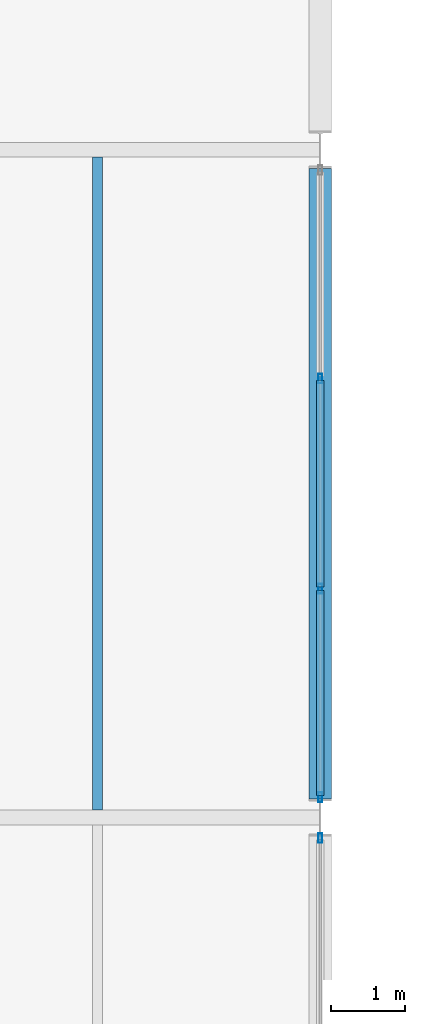
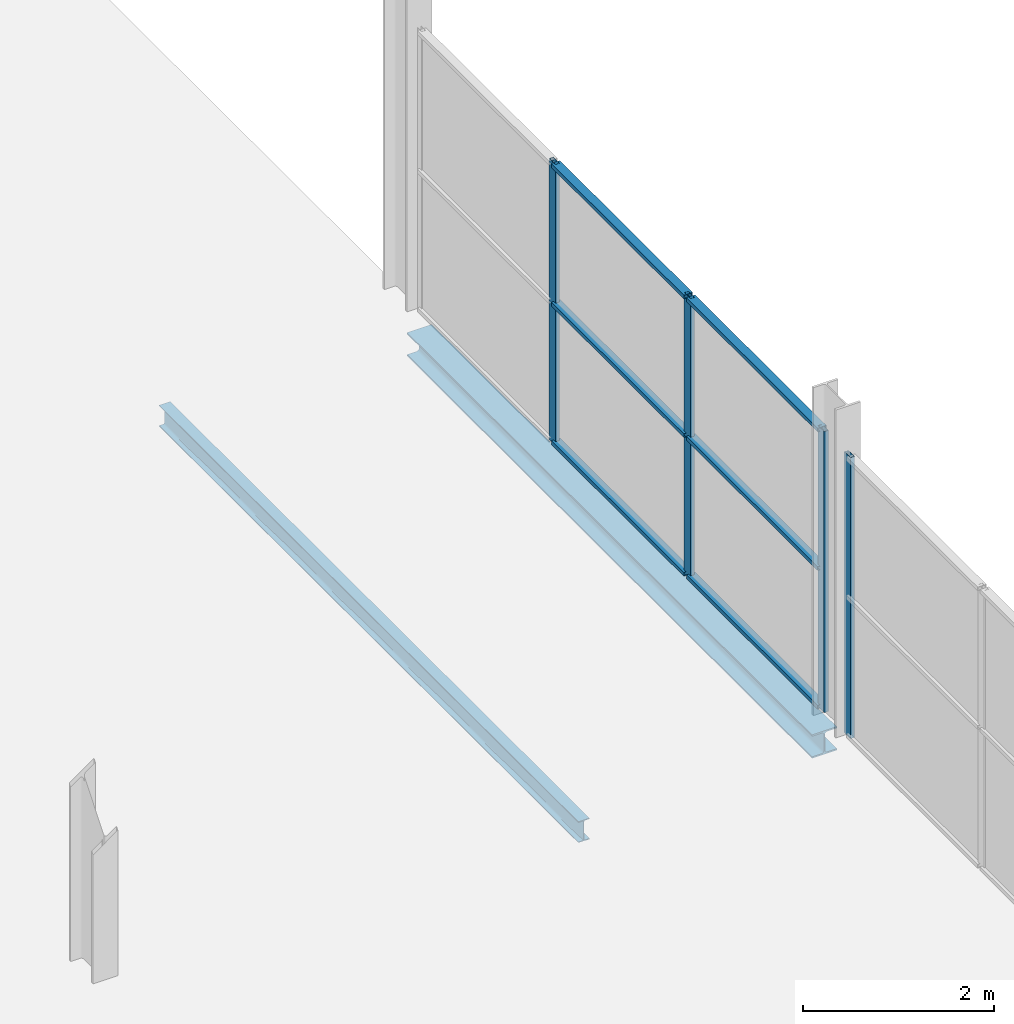
# One storey, part 38 of 103: 10 members, 2 beams, 2 elements without a shape of their own.
"""IFC4 building model written with IfcOpenShell, lengths in metres."""

from ifc_helpers import new_model, si_unit, direction, frame, origin, origin_2d, place, context, subcontext, project, spatial, hollow_rectangle, i_section, extrude, material, layer, layer_set, material_profile, profile_set, type_object, element, aggregate, save


model = new_model("IFC4")

# Units and contexts
model_context = context("Model", 3, precision=1e-05, world=origin(), true_north=direction((0.0, 1.0)))
body_context = subcontext(model_context, "Body", "Model", "MODEL_VIEW")
ifc_project = project(units=[si_unit("LENGTHUNIT", "METRE"), si_unit("AREAUNIT", "SQUARE_METRE"), si_unit("VOLUMEUNIT", "CUBIC_METRE"), si_unit("PLANEANGLEUNIT", "RADIAN"), si_unit("MASSUNIT", "GRAM", prefix="KILO")], contexts=[model_context])

# Site, building, storey
site_placement = place(None, origin())
site = spatial("IfcSite", under=ifc_project, at=site_placement, CompositionType="ELEMENT")
building_placement = place(site_placement, origin())
building = spatial("IfcBuilding", under=site, at=building_placement, Name="Deido Ridge Mobility Hub", CompositionType="ELEMENT")
storey_placement = place(building_placement, frame((0.0, 0.0, 12.60009765625)))
storey = spatial("IfcBuildingStorey", under=building, at=storey_placement, Name="L03", CompositionType="ELEMENT", Elevation=12.60009765625)

# Beam
ifc_material_1 = material(Name="Steel S355J2 EN 10025-2", Category="steel")
ifc_material_profile_1 = material_profile(ifc_material_1, i_section(OverallWidth=0.135009765625, OverallDepth=0.27001953125, WebThickness=0.006591796875, FlangeThickness=0.01025390625, FilletRadius=0.014892578125, at=origin_2d()), Name="IPE 270")
ifc_profile_set_1 = profile_set([ifc_material_profile_1], Name="Steel S355J2 EN 10025-2")
beam_type_1 = type_object("IfcBeamType", Name="JST-IPE270", PredefinedType="JOIST", material=ifc_profile_set_1)
beam_1_placement = place(storey_placement, frame((105.0, 63.10009765625, -0.400146484375), z_axis=(0.0, 1.0, 0.0), x_axis=(-1.0, 0.0, 0.0)))
element("IfcBeam", 1, at=beam_1_placement, inside=storey, type_object=beam_type_1, Name="Composite joist J4", PredefinedType="JOIST", context=body_context, shape_type="SweptSolid", body=[
    extrude(i_section(OverallWidth=0.135009765625, OverallDepth=0.27001953125, WebThickness=0.006591796875, FlangeThickness=0.01025390625, FilletRadius=0.014892578125, at=origin_2d()), origin(), (0.0, 0.0, 1.0), 8.7998046875),
])

# Curtain wall, member
ifc_material_2 = material(Name="Anodised aluminium EN AW-6063 T6", Category="aluminium")
ifc_layer = layer(ifc_material_2, 0.2548828125, Name="Anodised aluminium EN AW-6063 T6")
ifc_layer_set = layer_set([ifc_layer], Name="Anodised aluminium EN AW-6063 T6")
curtain_wall_type = type_object("IfcCurtainWallType", Name="CW-UF-7", PredefinedType="USERDEFINED", material=ifc_layer_set)
curtain_wall_1_placement = place(storey_placement, origin())
curtain_wall_1 = element("IfcCurtainWall", 2, at=curtain_wall_1_placement, inside=storey, type_object=curtain_wall_type, Name="Unitised curtain wall CW7", ObjectType="UNITISED FACADE", PredefinedType="USERDEFINED")
ifc_material_profile_2 = material_profile(ifc_material_2, hollow_rectangle(XDim=0.050048828125, YDim=0.1298828125, WallThickness=0.00390625, at=origin_2d()), Name="RHS 50x130x4")
ifc_profile_set_2 = profile_set([ifc_material_profile_2], Name="Anodised aluminium EN AW-6063 T6")
member_type_1 = type_object("IfcMemberType", Name="MEM-MUL-50X130", PredefinedType="MULLION", material=ifc_profile_set_2)
member_1_placement = place(storey_placement, frame((108.0, 62.72509765625, 0.0), z_axis=(0.0, 0.0, 1.0), x_axis=(-1.0, 0.0, 0.0)))
member_1 = element("IfcMember", 3, at=member_1_placement, type_object=member_type_1, Name="CW7 mullion 4", PredefinedType="MULLION", context=body_context, shape_type="SweptSolid", body=[
    extrude(hollow_rectangle(XDim=0.050048828125, YDim=0.1298828125, WallThickness=0.00390625, at=origin_2d()), origin(), (0.0, 0.0, 1.0), 3.599853515625),
])
aggregate(curtain_wall_1, [member_1])

# Curtain wall, members
curtain_wall_2_placement = place(storey_placement, origin())
curtain_wall_2 = element("IfcCurtainWall", 4, at=curtain_wall_2_placement, inside=storey, type_object=curtain_wall_type, Name="Unitised curtain wall CW7", ObjectType="UNITISED FACADE", PredefinedType="USERDEFINED")
member_2_placement = place(storey_placement, frame((108.0, 63.27490234375, 0.0), z_axis=(0.0, 0.0, 1.0), x_axis=(-1.0, 0.0, 0.0)))
member_2 = element("IfcMember", 5, at=member_2_placement, type_object=member_type_1, Name="CW7 mullion 1", PredefinedType="MULLION", context=body_context, shape_type="SweptSolid", body=[
    extrude(hollow_rectangle(XDim=0.050048828125, YDim=0.1298828125, WallThickness=0.00390625, at=origin_2d()), origin(), (0.0, 0.0, 1.0), 3.599853515625),
])
member_3_placement = place(storey_placement, frame((108.0, 66.083251953125, 0.0), z_axis=(0.0, 0.0, 1.0), x_axis=(-1.0, 0.0, 0.0)))
member_3 = element("IfcMember", 6, at=member_3_placement, type_object=member_type_1, Name="CW7 mullion 2", PredefinedType="MULLION", context=body_context, shape_type="SweptSolid", body=[
    extrude(hollow_rectangle(XDim=0.050048828125, YDim=0.1298828125, WallThickness=0.00390625, at=origin_2d()), origin(), (0.0, 0.0, 1.0), 3.599853515625),
])
member_4_placement = place(storey_placement, frame((108.0, 68.916748046875, 0.0), z_axis=(0.0, 0.0, 1.0), x_axis=(-1.0, 0.0, 0.0)))
member_4 = element("IfcMember", 7, at=member_4_placement, type_object=member_type_1, Name="CW7 mullion 3", PredefinedType="MULLION", context=body_context, shape_type="SweptSolid", body=[
    extrude(hollow_rectangle(XDim=0.050048828125, YDim=0.1298828125, WallThickness=0.00390625, at=origin_2d()), origin(), (0.0, 0.0, 1.0), 3.599853515625),
])
ifc_material_profile_3 = material_profile(ifc_material_2, hollow_rectangle(XDim=0.10498046875, YDim=0.050048828125, WallThickness=0.00390625, at=origin_2d()), Name="RHS 105x50x4")
ifc_profile_set_3 = profile_set([ifc_material_profile_3], Name="Anodised aluminium EN AW-6063 T6")
member_type_2 = type_object("IfcMemberType", Name="MEM-TRN-105X50", PredefinedType="USERDEFINED", material=ifc_profile_set_3)
member_5_placement = place(storey_placement, frame((108.0, 63.300048828125, 0.02490234375), z_axis=(0.0, 1.0, 0.0), x_axis=(-1.0, 0.0, 0.0)))
member_5 = element("IfcMember", 8, at=member_5_placement, type_object=member_type_2, Name="CW7 transom 1.1", ObjectType="TRANSOM", PredefinedType="USERDEFINED", context=body_context, shape_type="SweptSolid", body=[
    extrude(hollow_rectangle(XDim=0.10498046875, YDim=0.050048828125, WallThickness=0.00390625, at=origin_2d()), origin(), (0.0, 0.0, 1.0), 2.75830078125),
])
member_6_placement = place(storey_placement, frame((108.0, 63.300048828125, 1.7998046875), z_axis=(0.0, 1.0, 0.0), x_axis=(-1.0, 0.0, 0.0)))
member_6 = element("IfcMember", 9, at=member_6_placement, type_object=member_type_2, Name="CW7 transom 1.2", ObjectType="TRANSOM", PredefinedType="USERDEFINED", context=body_context, shape_type="SweptSolid", body=[
    extrude(hollow_rectangle(XDim=0.10498046875, YDim=0.050048828125, WallThickness=0.00390625, at=origin_2d()), origin(), (0.0, 0.0, 1.0), 2.75830078125),
])
member_7_placement = place(storey_placement, frame((108.0, 63.300048828125, 3.574951171875), z_axis=(0.0, 1.0, 0.0), x_axis=(-1.0, 0.0, 0.0)))
member_7 = element("IfcMember", 10, at=member_7_placement, type_object=member_type_2, Name="CW7 transom 1.3", ObjectType="TRANSOM", PredefinedType="USERDEFINED", context=body_context, shape_type="SweptSolid", body=[
    extrude(hollow_rectangle(XDim=0.10498046875, YDim=0.050048828125, WallThickness=0.00390625, at=origin_2d()), origin(), (0.0, 0.0, 1.0), 2.75830078125),
])
member_8_placement = place(storey_placement, frame((108.0, 66.1083984375, 0.02490234375), z_axis=(0.0, 1.0, 0.0), x_axis=(-1.0, 0.0, 0.0)))
member_8 = element("IfcMember", 11, at=member_8_placement, type_object=member_type_2, Name="CW7 transom 2.1", ObjectType="TRANSOM", PredefinedType="USERDEFINED", context=body_context, shape_type="SweptSolid", body=[
    extrude(hollow_rectangle(XDim=0.10498046875, YDim=0.050048828125, WallThickness=0.00390625, at=origin_2d()), origin(), (0.0, 0.0, 1.0), 2.783203125),
])
member_9_placement = place(storey_placement, frame((108.0, 66.1083984375, 1.7998046875), z_axis=(0.0, 1.0, 0.0), x_axis=(-1.0, 0.0, 0.0)))
member_9 = element("IfcMember", 12, at=member_9_placement, type_object=member_type_2, Name="CW7 transom 2.2", ObjectType="TRANSOM", PredefinedType="USERDEFINED", context=body_context, shape_type="SweptSolid", body=[
    extrude(hollow_rectangle(XDim=0.10498046875, YDim=0.050048828125, WallThickness=0.00390625, at=origin_2d()), origin(), (0.0, 0.0, 1.0), 2.783203125),
])
member_10_placement = place(storey_placement, frame((108.0, 66.1083984375, 3.574951171875), z_axis=(0.0, 1.0, 0.0), x_axis=(-1.0, 0.0, 0.0)))
member_10 = element("IfcMember", 13, at=member_10_placement, type_object=member_type_2, Name="CW7 transom 2.3", ObjectType="TRANSOM", PredefinedType="USERDEFINED", context=body_context, shape_type="SweptSolid", body=[
    extrude(hollow_rectangle(XDim=0.10498046875, YDim=0.050048828125, WallThickness=0.00390625, at=origin_2d()), origin(), (0.0, 0.0, 1.0), 2.783203125),
])
aggregate(curtain_wall_2, [member_2, member_3, member_4, member_5, member_6, member_7, member_8, member_9, member_10])

# Beam
ifc_material_profile_4 = material_profile(ifc_material_1, i_section(OverallWidth=0.300048828125, OverallDepth=0.300048828125, WebThickness=0.010986328125, FlangeThickness=0.01904296875, FilletRadius=0.027099609375, at=origin_2d()), Name="HEB 300")
ifc_profile_set_4 = profile_set([ifc_material_profile_4], Name="Steel S355J2 EN 10025-2")
beam_type_2 = type_object("IfcBeamType", Name="SPD-HEB300", PredefinedType="SPANDREL", material=ifc_profile_set_4)
beam_2_placement = place(storey_placement, frame((108.0, 63.25, -0.4150390625), z_axis=(0.0, 1.0, 0.0), x_axis=(-1.0, 0.0, 0.0)))
element("IfcBeam", 14, at=beam_2_placement, inside=storey, type_object=beam_type_2, Name="Floor beam SP1", PredefinedType="SPANDREL", context=body_context, shape_type="SweptSolid", body=[
    extrude(i_section(OverallWidth=0.300048828125, OverallDepth=0.300048828125, WebThickness=0.010986328125, FlangeThickness=0.01904296875, FilletRadius=0.027099609375, at=origin_2d()), origin(), (0.0, 0.0, 1.0), 8.5),
])

save(model, "model.ifc")
